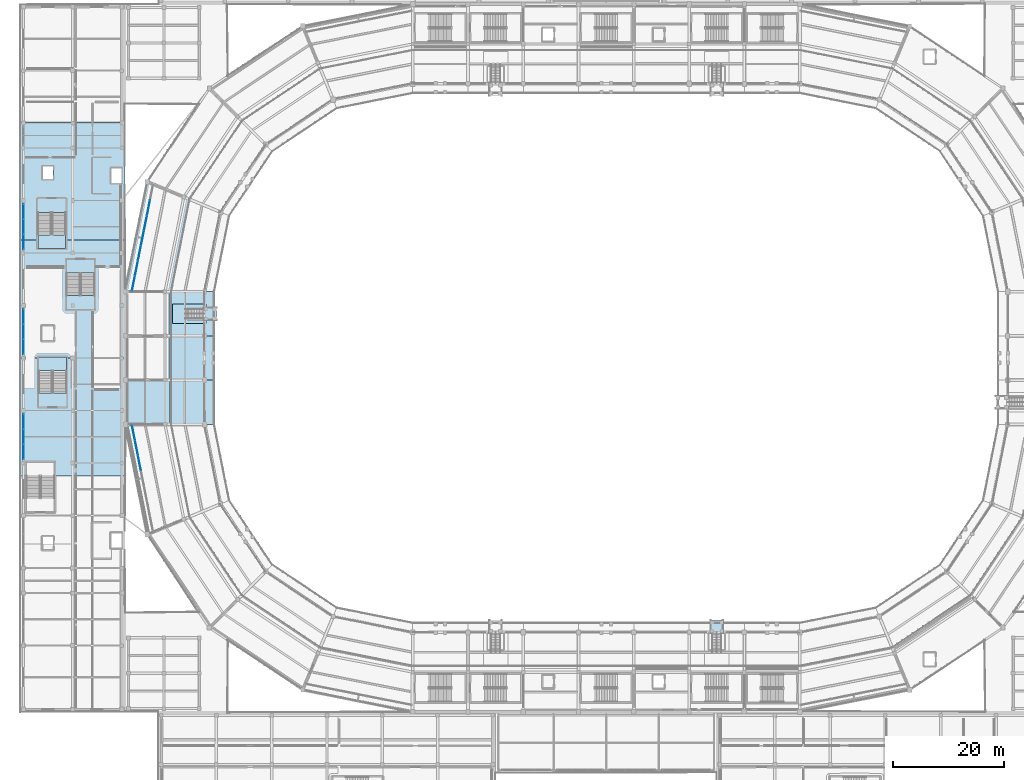
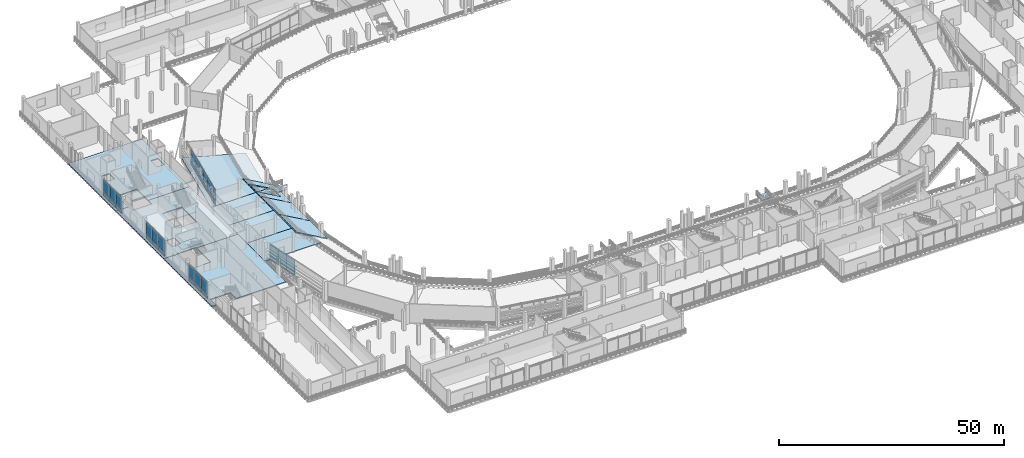
# One storey, part 64 of 127: 36 plates, 15 slabs, 10 elements without a shape of their own.
"""IFC4 building model written with IfcOpenShell, lengths in metres."""

from ifc_helpers import new_model, si_unit, direction, frame, origin, origin_2d, place, context, subcontext, project, spatial, polyline, rectangle, outline, extrude, material, layer, layer_set, type_object, element, aggregate, save


model = new_model("IFC4")

# Units and contexts
model_context = context("Model", 3, precision=1e-05, world=origin(), true_north=direction((0.0, 1.0)))
body_context = subcontext(model_context, "Body", "Model", "MODEL_VIEW")
ifc_project = project(units=[si_unit("LENGTHUNIT", "METRE"), si_unit("AREAUNIT", "SQUARE_METRE"), si_unit("VOLUMEUNIT", "CUBIC_METRE"), si_unit("PLANEANGLEUNIT", "RADIAN"), si_unit("MASSUNIT", "GRAM", prefix="KILO")], contexts=[model_context])

# Site, building, storey
site_placement = place(None, origin())
site = spatial("IfcSite", under=ifc_project, at=site_placement, CompositionType="ELEMENT")
building_placement = place(site_placement, origin())
building = spatial("IfcBuilding", under=site, at=building_placement, Name="Candeia Ridge Stadium", CompositionType="ELEMENT")
storey_placement = place(building_placement, frame((0.0, 0.0, 10.800048828125)))
storey = spatial("IfcBuildingStorey", under=building, at=storey_placement, Name="L02", CompositionType="ELEMENT", Elevation=10.800048828125)

# Slabs
ifc_material_1 = material(Name="Precast concrete C45/55", Category="concrete")
ifc_layer_1 = layer(ifc_material_1, 0.22509765625, Name="Precast concrete C45/55", Category="concrete")
ifc_layer_set_1 = layer_set([ifc_layer_1], Name="Precast concrete C45/55")
slab_type_1 = type_object("IfcSlabType", Name="Club Seating Tier Precast 225", PredefinedType="USERDEFINED", material=ifc_layer_set_1)
slab_1_placement = place(storey_placement, frame((35.199951171875, 95.0, 0.39990234375), z_axis=(0.494386728352, 0.0, 0.869242062276), x_axis=(0.0, -1.0, 0.0)))
element("IfcSlab", 1, at=slab_1_placement, inside=storey, type_object=slab_type_1, Name="Stand Club Tier Stands Bay 12", ObjectType="SEATING TIER", PredefinedType="USERDEFINED", context=body_context, shape_type="SweptSolid", body=[
    extrude(outline(polyline([(0.0, 0.0), (8.0, 0.0), (8.0, -9.203420252184603), (0.0, -9.203420252184603), (0.0, 0.0)]), holes=[polyline([(2.239990234375, -1.8406291399876153), (5.760009765625, -1.8406291399876153), (5.760009765625, -8.835281957197846), (2.239990234375, -8.835281957197846), (2.239990234375, -1.8406291399876153)])]), origin(), (0.0, 0.0, -1.0), 0.22509765625),
])
for number, where, z_axis, x_axis, name in (
    (2, (35.199951171875, 87.0, 0.39990234375), (0.494386728352, 0.0, 0.869242062276), (0.0, -1.0, 0.0), "Stand Club Tier Stands Bay 13"),
    (3, (35.199951171875, 79.0, 0.39990234375), (0.494386728352, 0.0, 0.869242062276), (0.0, -1.0, 0.0), "Stand Club Tier Stands Bay 14"),
):
    element("IfcSlab", number, at=place(storey_placement, frame(where, z_axis=z_axis, x_axis=x_axis)), inside=storey, type_object=slab_type_1, Name=name, ObjectType="SEATING TIER", PredefinedType="USERDEFINED", context=body_context, shape_type="SweptSolid", body=[
        extrude(outline(polyline([(0.0, 0.0), (8.0, 0.0), (8.0, -9.203420252184603), (0.0, -9.203420252184603), (0.0, 0.0)])), origin(), (0.0, 0.0, -1.0), 0.22509765625),
    ])

# Stair, slab
ifc_material_2 = material(Name="Concrete C40/50", Category="concrete")
stair_type_1 = type_object("IfcStairType", Name="Enclosed Core Half-Turn Stair 2450", PredefinedType="HALF_TURN_STAIR", material=ifc_material_2)
stair_1_placement = place(storey_placement, origin())
stair_1 = element("IfcStair", 4, at=stair_1_placement, inside=storey, type_object=stair_type_1, Name="L02 Enclosed exit stair ST06", PredefinedType="HALF_TURN_STAIR")
ifc_layer_2 = layer(ifc_material_2, 0.199951171875, Name="Concrete C40/50", Category="concrete")
ifc_layer_set_2 = layer_set([ifc_layer_2], Name="Concrete C40/50")
slab_type_2 = type_object("IfcSlabType", Name="Core Stair Landing Slab 200", PredefinedType="LANDING", material=ifc_layer_set_2)
slab_2_placement = place(storey_placement, frame((0.0, 0.0, 2.5)))
slab_2 = element("IfcSlab", 5, at=slab_2_placement, type_object=slab_type_2, Name="ST06 landing 1", PredefinedType="LANDING", context=body_context, shape_type="SweptSolid", body=[
    extrude(outline(polyline([(3.199951171875, 105.2900390625), (3.199951171875, 102.800048828125), (8.25, 102.800048828125), (8.25, 105.2900390625), (3.199951171875, 105.2900390625)])), origin(), (0.0, 0.0, 1.0), 0.199951171875),
])
aggregate(stair_1, [slab_2])

stair_2_placement = place(storey_placement, origin())
stair_2 = element("IfcStair", 6, at=stair_2_placement, inside=storey, type_object=stair_type_1, Name="L02 Enclosed exit stair ST07", PredefinedType="HALF_TURN_STAIR")
slab_3_placement = place(storey_placement, frame((0.0, 0.0, 2.5)))
slab_3 = element("IfcSlab", 7, at=slab_3_placement, type_object=slab_type_2, Name="ST07 landing 1", PredefinedType="LANDING", context=body_context, shape_type="SweptSolid", body=[
    extrude(outline(polyline([(8.39990234375, 80.7099609375), (8.39990234375, 83.199951171875), (3.35009765625, 83.199951171875), (3.35009765625, 80.7099609375), (8.39990234375, 80.7099609375)])), origin(), (0.0, 0.0, 1.0), 0.199951171875),
])
aggregate(stair_2, [slab_3])

stair_3_placement = place(storey_placement, origin())
stair_3 = element("IfcStair", 8, at=stair_3_placement, inside=storey, type_object=stair_type_1, Name="L02 Enclosed exit stair ST08", PredefinedType="HALF_TURN_STAIR")
slab_4_placement = place(storey_placement, frame((0.0, 0.0, 2.5)))
slab_4 = element("IfcSlab", 9, at=slab_4_placement, type_object=slab_type_2, Name="ST08 landing 1", PredefinedType="LANDING", context=body_context, shape_type="SweptSolid", body=[
    extrude(outline(polyline([(8.39990234375, 94.2900390625), (8.39990234375, 91.800048828125), (13.449951171875, 91.800048828125), (13.449951171875, 94.2900390625), (8.39990234375, 94.2900390625)])), origin(), (0.0, 0.0, 1.0), 0.199951171875),
])
aggregate(stair_3, [slab_4])

stair_type_2 = type_object("IfcStairType", Name="Spectator Vomitory Straight Stair 2200", PredefinedType="STRAIGHT_RUN_STAIR", material=ifc_material_1)
stair_4_placement = place(storey_placement, origin())
stair_4 = element("IfcStair", 10, at=stair_4_placement, inside=storey, type_object=stair_type_2, Name="Vomitory stair VS21", PredefinedType="STRAIGHT_RUN_STAIR")
slab_5_placement = place(storey_placement, frame((0.0, 0.0, 2.0400390625)))
slab_5 = element("IfcSlab", 11, at=slab_5_placement, type_object=slab_type_2, Name="VS21 landing 1", PredefinedType="LANDING", context=body_context, shape_type="SweptSolid", body=[
    extrude(outline(polyline([(33.279541015625, 92.1201171875), (35.530029296875, 92.1201171875), (35.530029296875, 89.8798828125), (33.279541015625, 89.8798828125), (33.279541015625, 92.1201171875)])), origin(), (0.0, 0.0, 1.0), 0.199951171875),
])
aggregate(stair_4, [slab_5])

stair_5_placement = place(storey_placement, origin())
stair_5 = element("IfcStair", 12, at=stair_5_placement, inside=storey, type_object=stair_type_2, Name="Vomitory stair VS23", PredefinedType="STRAIGHT_RUN_STAIR")
slab_6_placement = place(storey_placement, frame((0.0, 0.0, 2.0400390625)))
slab_6 = element("IfcSlab", 13, at=slab_6_placement, type_object=slab_type_2, Name="VS23 landing 1", PredefinedType="LANDING", context=body_context, shape_type="SweptSolid", body=[
    extrude(outline(polyline([(124.8798828125, 33.279541015625), (124.8798828125, 35.530029296875), (127.1201171875, 35.530029296875), (127.1201171875, 33.279541015625), (124.8798828125, 33.279541015625)])), origin(), (0.0, 0.0, 1.0), 0.199951171875),
])
aggregate(stair_5, [slab_6])

# Curtain wall, plates
ifc_material_3 = material(Name="Aluminium Anodized Warm Bronze", Category="aluminium")
curtain_wall_type_1 = type_object("IfcCurtainWallType", Name="Cardinal Entrance Gate Tall Glazed Curtain Wall", PredefinedType="NOTDEFINED", material=ifc_material_3)
curtain_wall_1_placement = place(storey_placement, origin())
curtain_wall_1 = element("IfcCurtainWall", 14, at=curtain_wall_1_placement, inside=storey, type_object=curtain_wall_type_1, Name="Unitised curtain wall CW-WNG-L02-083", PredefinedType="NOTDEFINED")
ifc_material_4 = material(Name="Laminated Acoustic Glazing", Category="glass")
ifc_layer_3 = layer(ifc_material_4, 0.035888671875, Name="Laminated Acoustic Glazing", Category="glass")
ifc_layer_set_3 = layer_set([ifc_layer_3], Name="Laminated Acoustic Glazing")
plate_type_1 = type_object("IfcPlateType", Name="Gate Tall Laminated Glass Panel GP3", PredefinedType="CURTAIN_PANEL", material=ifc_layer_set_3)
plate_1_placement = place(storey_placement, frame((0.60009765625, 66.023193359375, 1.14013671875), z_axis=(0.0, 0.0, 1.0), x_axis=(0.0, 1.0, 0.0)))
plate_1 = element("IfcPlate", 15, at=plate_1_placement, type_object=plate_type_1, Name="Curtain wall vision glass panel CW-WNG-L02-083-GP0", PredefinedType="CURTAIN_PANEL", context=body_context, shape_type="SweptSolid", body=[
    extrude(rectangle(XDim=2.65673828125, YDim=0.035888671875, at=origin_2d()), origin(), (0.0, 0.0, 1.0), 3.304931640625),
])
plate_2_placement = place(storey_placement, frame((0.60009765625, 68.75, 1.14013671875), z_axis=(0.0, 0.0, 1.0), x_axis=(0.0, 1.0, 0.0)))
plate_2 = element("IfcPlate", 16, at=plate_2_placement, type_object=plate_type_1, Name="Curtain wall vision glass panel CW-WNG-L02-083-GP1", PredefinedType="CURTAIN_PANEL", context=body_context, shape_type="SweptSolid", body=[
    extrude(rectangle(XDim=2.65673828125, YDim=0.035888671875, at=origin_2d()), origin(), (0.0, 0.0, 1.0), 3.304931640625),
])
plate_3_placement = place(storey_placement, frame((0.60009765625, 71.476806640625, 1.14013671875), z_axis=(0.0, 0.0, 1.0), x_axis=(0.0, 1.0, 0.0)))
plate_3 = element("IfcPlate", 17, at=plate_3_placement, type_object=plate_type_1, Name="Curtain wall vision glass panel CW-WNG-L02-083-GP2", PredefinedType="CURTAIN_PANEL", context=body_context, shape_type="SweptSolid", body=[
    extrude(rectangle(XDim=2.65673828125, YDim=0.035888671875, at=origin_2d()), origin(), (0.0, 0.0, 1.0), 3.304931640625),
])

curtain_wall_2_placement = place(storey_placement, origin())
curtain_wall_2 = element("IfcCurtainWall", 18, at=curtain_wall_2_placement, inside=storey, type_object=curtain_wall_type_1, Name="Unitised curtain wall CW-WNG-L02-084", PredefinedType="NOTDEFINED")
plate_4_placement = place(storey_placement, frame((0.60009765625, 85.023193359375, 1.14013671875), z_axis=(0.0, 0.0, 1.0), x_axis=(0.0, 1.0, 0.0)))
plate_4 = element("IfcPlate", 19, at=plate_4_placement, type_object=plate_type_1, Name="Curtain wall vision glass panel CW-WNG-L02-084-GP0", PredefinedType="CURTAIN_PANEL", context=body_context, shape_type="SweptSolid", body=[
    extrude(rectangle(XDim=2.65673828125, YDim=0.035888671875, at=origin_2d()), origin(), (0.0, 0.0, 1.0), 3.304931640625),
])
plate_5_placement = place(storey_placement, frame((0.60009765625, 87.75, 1.14013671875), z_axis=(0.0, 0.0, 1.0), x_axis=(0.0, 1.0, 0.0)))
plate_5 = element("IfcPlate", 20, at=plate_5_placement, type_object=plate_type_1, Name="Curtain wall vision glass panel CW-WNG-L02-084-GP1", PredefinedType="CURTAIN_PANEL", context=body_context, shape_type="SweptSolid", body=[
    extrude(rectangle(XDim=2.65673828125, YDim=0.035888671875, at=origin_2d()), origin(), (0.0, 0.0, 1.0), 3.304931640625),
])
plate_6_placement = place(storey_placement, frame((0.60009765625, 90.476806640625, 1.14013671875), z_axis=(0.0, 0.0, 1.0), x_axis=(0.0, 1.0, 0.0)))
plate_6 = element("IfcPlate", 21, at=plate_6_placement, type_object=plate_type_1, Name="Curtain wall vision glass panel CW-WNG-L02-084-GP2", PredefinedType="CURTAIN_PANEL", context=body_context, shape_type="SweptSolid", body=[
    extrude(rectangle(XDim=2.65673828125, YDim=0.035888671875, at=origin_2d()), origin(), (0.0, 0.0, 1.0), 3.304931640625),
])

curtain_wall_3_placement = place(storey_placement, origin())
curtain_wall_3 = element("IfcCurtainWall", 22, at=curtain_wall_3_placement, inside=storey, type_object=curtain_wall_type_1, Name="Unitised curtain wall CW-WNG-L02-085", PredefinedType="NOTDEFINED")
plate_7_placement = place(storey_placement, frame((0.60009765625, 104.023193359375, 1.14013671875), z_axis=(0.0, 0.0, 1.0), x_axis=(0.0, 1.0, 0.0)))
plate_7 = element("IfcPlate", 23, at=plate_7_placement, type_object=plate_type_1, Name="Curtain wall vision glass panel CW-WNG-L02-085-GP0", PredefinedType="CURTAIN_PANEL", context=body_context, shape_type="SweptSolid", body=[
    extrude(rectangle(XDim=2.65673828125, YDim=0.035888671875, at=origin_2d()), origin(), (0.0, 0.0, 1.0), 3.304931640625),
])
plate_8_placement = place(storey_placement, frame((0.60009765625, 106.75, 1.14013671875), z_axis=(0.0, 0.0, 1.0), x_axis=(0.0, 1.0, 0.0)))
plate_8 = element("IfcPlate", 24, at=plate_8_placement, type_object=plate_type_1, Name="Curtain wall vision glass panel CW-WNG-L02-085-GP1", PredefinedType="CURTAIN_PANEL", context=body_context, shape_type="SweptSolid", body=[
    extrude(rectangle(XDim=2.65673828125, YDim=0.035888671875, at=origin_2d()), origin(), (0.0, 0.0, 1.0), 3.304931640625),
])
plate_9_placement = place(storey_placement, frame((0.60009765625, 109.476806640625, 1.14013671875), z_axis=(0.0, 0.0, 1.0), x_axis=(0.0, 1.0, 0.0)))
plate_9 = element("IfcPlate", 25, at=plate_9_placement, type_object=plate_type_1, Name="Curtain wall vision glass panel CW-WNG-L02-085-GP2", PredefinedType="CURTAIN_PANEL", context=body_context, shape_type="SweptSolid", body=[
    extrude(rectangle(XDim=2.65673828125, YDim=0.035888671875, at=origin_2d()), origin(), (0.0, 0.0, 1.0), 3.304931640625),
])

# Slabs
ifc_layer_4 = layer(ifc_material_2, 0.25, Name="Concrete C40/50", Category="concrete")
ifc_layer_set_4 = layer_set([ifc_layer_4], Name="Concrete C40/50")
slab_type_3 = type_object("IfcSlabType", Name="Hospitality & Museum Slab 250", PredefinedType="FLOOR", material=ifc_layer_set_4)
slab_7_placement = place(storey_placement, frame((0.0, 0.0, -0.25)))
element("IfcSlab", 26, at=slab_7_placement, inside=storey, type_object=slab_type_3, Name="Bowl concourse sector slab L02 bay 11 SLB-L02-0083", PredefinedType="FLOOR", context=body_context, shape_type="SweptSolid", body=[
    extrude(outline(polyline([(33.39990234375, 95.0), (19.0, 95.0), (22.958251953125, 114.8994140625), (36.26220703125, 109.388916015625), (33.39990234375, 95.0)])), origin(), (0.0, 0.0, 1.0), 0.25),
])
slab_8_placement = place(storey_placement, frame((0.0, 0.0, -0.25)))
element("IfcSlab", 27, at=slab_8_placement, inside=storey, type_object=slab_type_3, Name="Bowl concourse sector slab L02 bay 12 SLB-L02-0084", PredefinedType="FLOOR", context=body_context, shape_type="SweptSolid", body=[
    extrude(outline(polyline([(33.39990234375, 87.0), (19.0, 87.0), (19.0, 95.0), (33.39990234375, 95.0), (33.39990234375, 87.0)])), origin(), (0.0, 0.0, 1.0), 0.25),
])
slab_9_placement = place(storey_placement, frame((0.0, 0.0, -0.25)))
element("IfcSlab", 28, at=slab_9_placement, inside=storey, type_object=slab_type_3, Name="Bowl concourse sector slab L02 bay 13 SLB-L02-0085", PredefinedType="FLOOR", context=body_context, shape_type="SweptSolid", body=[
    extrude(outline(polyline([(33.39990234375, 79.0), (19.0, 79.0), (19.0, 87.0), (33.39990234375, 87.0), (33.39990234375, 79.0)])), origin(), (0.0, 0.0, 1.0), 0.25),
])
slab_10_placement = place(storey_placement, frame((0.0, 0.0, -0.25)))
element("IfcSlab", 29, at=slab_10_placement, inside=storey, type_object=slab_type_3, Name="Bowl concourse sector slab L02 bay 14 SLB-L02-0086", PredefinedType="FLOOR", context=body_context, shape_type="SweptSolid", body=[
    extrude(outline(polyline([(33.39990234375, 71.0), (19.0, 71.0), (19.0, 79.0), (33.39990234375, 79.0), (33.39990234375, 71.0)])), origin(), (0.0, 0.0, 1.0), 0.25),
])
slab_11_placement = place(storey_placement, frame((0.0, 0.0, -0.25)))
element("IfcSlab", 30, at=slab_11_placement, inside=storey, type_object=slab_type_3, Name="Wing floor slab west SLB-L02-0247", PredefinedType="FLOOR", context=body_context, shape_type="SweptSolid", body=[
    extrude(outline(polyline([(19.0, 83.0), (19.0, 61.666748046875), (6.199951171875, 61.666748046875), (6.199951171875, 64.199951171875), (1.14990234375, 64.199951171875), (1.14990234375, 61.666748046875), (0.0, 61.666748046875), (0.0, 83.0), (3.35009765625, 83.0), (3.35009765625, 76.650634765625), (8.39990234375, 76.650634765625), (8.39990234375, 83.0), (19.0, 83.0)])), origin(), (0.0, 0.0, 1.0), 0.25),
])
slab_12_placement = place(storey_placement, frame((0.0, 0.0, -0.25)))
element("IfcSlab", 31, at=slab_12_placement, inside=storey, type_object=slab_type_3, Name="Wing floor slab west SLB-L02-0248", PredefinedType="FLOOR", context=body_context, shape_type="SweptSolid", body=[
    extrude(outline(polyline([(19.0, 104.333251953125), (19.0, 83.0), (8.39990234375, 83.0), (8.39990234375, 83.199951171875), (3.35009765625, 83.199951171875), (3.35009765625, 83.0), (0.0, 83.0), (0.0, 104.333251953125), (3.199951171875, 104.333251953125), (3.199951171875, 102.800048828125), (8.25, 102.800048828125), (8.25, 104.333251953125), (19.0, 104.333251953125)]), holes=[polyline([(6.050048828125, 86.14990234375), (6.050048828125, 88.85009765625), (3.949951171875, 88.85009765625), (3.949951171875, 86.14990234375), (6.050048828125, 86.14990234375)]), polyline([(8.39990234375, 98.349365234375), (8.39990234375, 91.800048828125), (13.449951171875, 91.800048828125), (13.449951171875, 98.349365234375), (8.39990234375, 98.349365234375)])]), origin(), (0.0, 0.0, 1.0), 0.25),
])
slab_13_placement = place(storey_placement, frame((0.0, 0.0, -0.25)))
element("IfcSlab", 32, at=slab_13_placement, inside=storey, type_object=slab_type_3, Name="Wing floor slab west SLB-L02-0249", PredefinedType="FLOOR", context=body_context, shape_type="SweptSolid", body=[
    extrude(outline(polyline([(0.0, 104.333251953125), (0.0, 125.666748046875), (19.0, 125.666748046875), (19.0, 104.333251953125), (8.25, 104.333251953125), (8.25, 109.349365234375), (3.199951171875, 109.349365234375), (3.199951171875, 104.333251953125), (0.0, 104.333251953125)]), holes=[polyline([(18.35009765625, 114.64990234375), (18.35009765625, 117.35009765625), (16.449951171875, 117.35009765625), (16.449951171875, 114.64990234375), (18.35009765625, 114.64990234375)]), polyline([(5.949951171875, 115.35009765625), (5.949951171875, 117.64990234375), (4.050048828125, 117.64990234375), (4.050048828125, 115.35009765625), (5.949951171875, 115.35009765625)])]), origin(), (0.0, 0.0, 1.0), 0.25),
])

# Curtain wall, plates
curtain_wall_type_2 = type_object("IfcCurtainWallType", Name="Concourse Recessed Unitised Curtain Wall", PredefinedType="NOTDEFINED", material=ifc_material_3)
curtain_wall_4_placement = place(storey_placement, origin())
curtain_wall_4 = element("IfcCurtainWall", 33, at=curtain_wall_4_placement, inside=storey, type_object=curtain_wall_type_2, Name="Unitised curtain wall CW-BWL-L02-10", PredefinedType="NOTDEFINED")
ifc_material_5 = material(Name="Aluminium Insulated Spandrel", Category="aluminium")
ifc_layer_5 = layer(ifc_material_5, 0.06494140625, Name="Aluminium Insulated Spandrel", Category="aluminium")
ifc_layer_set_5 = layer_set([ifc_layer_5], Name="Aluminium Insulated Spandrel")
plate_type_2 = type_object("IfcPlateType", Name="Insulated Bronze Spandrel Panel SP1", PredefinedType="CURTAIN_PANEL", material=ifc_layer_set_5)
plate_10_placement = place(storey_placement, frame((23.21826171875, 110.173583984375, 0.0400390625), z_axis=(0.0, 0.0, 1.0), x_axis=(-0.195090320544, -0.980785280696, 0.0)))
plate_10 = element("IfcPlate", 34, at=plate_10_placement, type_object=plate_type_2, Name="Curtain wall spandrel panel CW-BWL-L02-10-SP1", PredefinedType="CURTAIN_PANEL", context=body_context, shape_type="SweptSolid", body=[
    extrude(rectangle(XDim=2.710205078125, YDim=0.06494140625, at=origin_2d()), origin(), (0.0, 0.0, 1.0), 0.983642578125),
])
plate_11_placement = place(storey_placement, frame((22.67578125, 107.447021484375, 0.0400390625), z_axis=(0.0, 0.0, 1.0), x_axis=(-0.195090320544, -0.980785280696, 0.0)))
plate_11 = element("IfcPlate", 35, at=plate_11_placement, type_object=plate_type_2, Name="Curtain wall spandrel panel CW-BWL-L02-10-SP2", PredefinedType="CURTAIN_PANEL", context=body_context, shape_type="SweptSolid", body=[
    extrude(rectangle(XDim=2.710205078125, YDim=0.06494140625, at=origin_2d()), origin(), (0.0, 0.0, 1.0), 0.983642578125),
])
plate_12_placement = place(storey_placement, frame((22.13330078125, 104.72021484375, 0.0400390625), z_axis=(0.0, 0.0, 1.0), x_axis=(-0.195090320544, -0.980785280696, 0.0)))
plate_12 = element("IfcPlate", 36, at=plate_12_placement, type_object=plate_type_2, Name="Curtain wall spandrel panel CW-BWL-L02-10-SP3", PredefinedType="CURTAIN_PANEL", context=body_context, shape_type="SweptSolid", body=[
    extrude(rectangle(XDim=2.710205078125, YDim=0.06494140625, at=origin_2d()), origin(), (0.0, 0.0, 1.0), 0.983642578125),
])
plate_13_placement = place(storey_placement, frame((21.591064453125, 101.993408203125, 0.0400390625), z_axis=(0.0, 0.0, 1.0), x_axis=(-0.195090320544, -0.980785280696, 0.0)))
plate_13 = element("IfcPlate", 37, at=plate_13_placement, type_object=plate_type_2, Name="Curtain wall spandrel panel CW-BWL-L02-10-SP4", PredefinedType="CURTAIN_PANEL", context=body_context, shape_type="SweptSolid", body=[
    extrude(rectangle(XDim=2.710205078125, YDim=0.06494140625, at=origin_2d()), origin(), (0.0, 0.0, 1.0), 0.983642578125),
])
plate_14_placement = place(storey_placement, frame((21.048583984375, 99.2666015625, 0.0400390625), z_axis=(0.0, 0.0, 1.0), x_axis=(-0.195090320544, -0.980785280696, 0.0)))
plate_14 = element("IfcPlate", 38, at=plate_14_placement, type_object=plate_type_2, Name="Curtain wall spandrel panel CW-BWL-L02-10-SP5", PredefinedType="CURTAIN_PANEL", context=body_context, shape_type="SweptSolid", body=[
    extrude(rectangle(XDim=2.710205078125, YDim=0.06494140625, at=origin_2d()), origin(), (0.0, 0.0, 1.0), 0.983642578125),
])
plate_15_placement = place(storey_placement, frame((20.50634765625, 96.539794921875, 0.0400390625), z_axis=(0.0, 0.0, 1.0), x_axis=(-0.195090320544, -0.980785280696, 0.0)))
plate_15 = element("IfcPlate", 39, at=plate_15_placement, type_object=plate_type_2, Name="Curtain wall spandrel panel CW-BWL-L02-10-SP6", PredefinedType="CURTAIN_PANEL", context=body_context, shape_type="SweptSolid", body=[
    extrude(rectangle(XDim=2.710205078125, YDim=0.06494140625, at=origin_2d()), origin(), (0.0, 0.0, 1.0), 0.983642578125),
])

curtain_wall_5_placement = place(storey_placement, origin())
curtain_wall_5 = element("IfcCurtainWall", 40, at=curtain_wall_5_placement, inside=storey, type_object=curtain_wall_type_2, Name="Unitised curtain wall CW-BWL-L02-14", PredefinedType="NOTDEFINED")
plate_16_placement = place(storey_placement, frame((20.50634765625, 69.460205078125, 0.0400390625), z_axis=(0.0, 0.0, 1.0), x_axis=(0.195090320544, -0.980785280696, 0.0)))
plate_16 = element("IfcPlate", 41, at=plate_16_placement, type_object=plate_type_2, Name="Curtain wall spandrel panel CW-BWL-L02-14-SP0", PredefinedType="CURTAIN_PANEL", context=body_context, shape_type="SweptSolid", body=[
    extrude(rectangle(XDim=2.710205078125, YDim=0.06494140625, at=origin_2d()), origin(), (0.0, 0.0, 1.0), 0.973876953125),
])
plate_17_placement = place(storey_placement, frame((21.048583984375, 66.7333984375, 0.0400390625), z_axis=(0.0, 0.0, 1.0), x_axis=(0.195090320544, -0.980785280696, 0.0)))
plate_17 = element("IfcPlate", 42, at=plate_17_placement, type_object=plate_type_2, Name="Curtain wall spandrel panel CW-BWL-L02-14-SP1", PredefinedType="CURTAIN_PANEL", context=body_context, shape_type="SweptSolid", body=[
    extrude(rectangle(XDim=2.710205078125, YDim=0.06494140625, at=origin_2d()), origin(), (0.0, 0.0, 1.0), 0.973876953125),
])
plate_18_placement = place(storey_placement, frame((21.591064453125, 64.006591796875, 0.0400390625), z_axis=(0.0, 0.0, 1.0), x_axis=(0.195090320544, -0.980785280696, 0.0)))
plate_18 = element("IfcPlate", 43, at=plate_18_placement, type_object=plate_type_2, Name="Curtain wall spandrel panel CW-BWL-L02-14-SP2", PredefinedType="CURTAIN_PANEL", context=body_context, shape_type="SweptSolid", body=[
    extrude(rectangle(XDim=2.710205078125, YDim=0.06494140625, at=origin_2d()), origin(), (0.0, 0.0, 1.0), 0.973876953125),
])

# Plate
ifc_layer_6 = layer(ifc_material_5, 0.06494140625, Name="Aluminium Insulated Spandrel", Category="aluminium")
ifc_layer_set_6 = layer_set([ifc_layer_6], Name="Aluminium Insulated Spandrel")
plate_type_3 = type_object("IfcPlateType", Name="Insulated Cedar-Tone Spandrel Panel SP3", PredefinedType="CURTAIN_PANEL", material=ifc_layer_set_6)
plate_19_placement = place(storey_placement, frame((0.60009765625, 66.023193359375, 0.0400390625), z_axis=(0.0, 0.0, 1.0), x_axis=(0.0, 1.0, 0.0)))
plate_19 = element("IfcPlate", 44, at=plate_19_placement, type_object=plate_type_3, Name="Curtain wall spandrel panel CW-WNG-L02-083-SP0", PredefinedType="CURTAIN_PANEL", context=body_context, shape_type="SweptSolid", body=[
    extrude(rectangle(XDim=2.65673828125, YDim=0.06494140625, at=origin_2d()), origin(), (0.0, 0.0, 1.0), 1.02001953125),
])

plate_20_placement = place(storey_placement, frame((0.60009765625, 68.75, 0.0400390625), z_axis=(0.0, 0.0, 1.0), x_axis=(0.0, 1.0, 0.0)))
plate_20 = element("IfcPlate", 45, at=plate_20_placement, type_object=plate_type_3, Name="Curtain wall spandrel panel CW-WNG-L02-083-SP1", PredefinedType="CURTAIN_PANEL", context=body_context, shape_type="SweptSolid", body=[
    extrude(rectangle(XDim=2.65673828125, YDim=0.06494140625, at=origin_2d()), origin(), (0.0, 0.0, 1.0), 1.02001953125),
])

plate_21_placement = place(storey_placement, frame((0.60009765625, 71.476806640625, 0.0400390625), z_axis=(0.0, 0.0, 1.0), x_axis=(0.0, 1.0, 0.0)))
plate_21 = element("IfcPlate", 46, at=plate_21_placement, type_object=plate_type_3, Name="Curtain wall spandrel panel CW-WNG-L02-083-SP2", PredefinedType="CURTAIN_PANEL", context=body_context, shape_type="SweptSolid", body=[
    extrude(rectangle(XDim=2.65673828125, YDim=0.06494140625, at=origin_2d()), origin(), (0.0, 0.0, 1.0), 1.02001953125),
])

aggregate(curtain_wall_1, [plate_19, plate_1, plate_20, plate_2, plate_21, plate_3])

plate_22_placement = place(storey_placement, frame((0.60009765625, 85.023193359375, 0.0400390625), z_axis=(0.0, 0.0, 1.0), x_axis=(0.0, 1.0, 0.0)))
plate_22 = element("IfcPlate", 47, at=plate_22_placement, type_object=plate_type_3, Name="Curtain wall spandrel panel CW-WNG-L02-084-SP0", PredefinedType="CURTAIN_PANEL", context=body_context, shape_type="SweptSolid", body=[
    extrude(rectangle(XDim=2.65673828125, YDim=0.06494140625, at=origin_2d()), origin(), (0.0, 0.0, 1.0), 1.02001953125),
])

plate_23_placement = place(storey_placement, frame((0.60009765625, 87.75, 0.0400390625), z_axis=(0.0, 0.0, 1.0), x_axis=(0.0, 1.0, 0.0)))
plate_23 = element("IfcPlate", 48, at=plate_23_placement, type_object=plate_type_3, Name="Curtain wall spandrel panel CW-WNG-L02-084-SP1", PredefinedType="CURTAIN_PANEL", context=body_context, shape_type="SweptSolid", body=[
    extrude(rectangle(XDim=2.65673828125, YDim=0.06494140625, at=origin_2d()), origin(), (0.0, 0.0, 1.0), 1.02001953125),
])

plate_24_placement = place(storey_placement, frame((0.60009765625, 90.476806640625, 0.0400390625), z_axis=(0.0, 0.0, 1.0), x_axis=(0.0, 1.0, 0.0)))
plate_24 = element("IfcPlate", 49, at=plate_24_placement, type_object=plate_type_3, Name="Curtain wall spandrel panel CW-WNG-L02-084-SP2", PredefinedType="CURTAIN_PANEL", context=body_context, shape_type="SweptSolid", body=[
    extrude(rectangle(XDim=2.65673828125, YDim=0.06494140625, at=origin_2d()), origin(), (0.0, 0.0, 1.0), 1.02001953125),
])

aggregate(curtain_wall_2, [plate_22, plate_4, plate_23, plate_5, plate_24, plate_6])

plate_25_placement = place(storey_placement, frame((0.60009765625, 104.023193359375, 0.0400390625), z_axis=(0.0, 0.0, 1.0), x_axis=(0.0, 1.0, 0.0)))
plate_25 = element("IfcPlate", 50, at=plate_25_placement, type_object=plate_type_3, Name="Curtain wall spandrel panel CW-WNG-L02-085-SP0", PredefinedType="CURTAIN_PANEL", context=body_context, shape_type="SweptSolid", body=[
    extrude(rectangle(XDim=2.65673828125, YDim=0.06494140625, at=origin_2d()), origin(), (0.0, 0.0, 1.0), 1.02001953125),
])

plate_26_placement = place(storey_placement, frame((0.60009765625, 106.75, 0.0400390625), z_axis=(0.0, 0.0, 1.0), x_axis=(0.0, 1.0, 0.0)))
plate_26 = element("IfcPlate", 51, at=plate_26_placement, type_object=plate_type_3, Name="Curtain wall spandrel panel CW-WNG-L02-085-SP1", PredefinedType="CURTAIN_PANEL", context=body_context, shape_type="SweptSolid", body=[
    extrude(rectangle(XDim=2.65673828125, YDim=0.06494140625, at=origin_2d()), origin(), (0.0, 0.0, 1.0), 1.02001953125),
])

plate_27_placement = place(storey_placement, frame((0.60009765625, 109.476806640625, 0.0400390625), z_axis=(0.0, 0.0, 1.0), x_axis=(0.0, 1.0, 0.0)))
plate_27 = element("IfcPlate", 52, at=plate_27_placement, type_object=plate_type_3, Name="Curtain wall spandrel panel CW-WNG-L02-085-SP2", PredefinedType="CURTAIN_PANEL", context=body_context, shape_type="SweptSolid", body=[
    extrude(rectangle(XDim=2.65673828125, YDim=0.06494140625, at=origin_2d()), origin(), (0.0, 0.0, 1.0), 1.02001953125),
])

aggregate(curtain_wall_3, [plate_25, plate_7, plate_26, plate_8, plate_27, plate_9])

ifc_material_6 = material(Name="Tempered Low-E Double Glazing", Category="glass")
ifc_layer_7 = layer(ifc_material_6, 0.035888671875, Name="Tempered Low-E Double Glazing", Category="glass")
ifc_layer_set_7 = layer_set([ifc_layer_7], Name="Tempered Low-E Double Glazing")
plate_type_4 = type_object("IfcPlateType", Name="Solar Control Vision Glass Panel GP1", PredefinedType="CURTAIN_PANEL", material=ifc_layer_set_7)
plate_28_placement = place(storey_placement, frame((23.21826171875, 110.173583984375, 1.103759765625), z_axis=(0.0, 0.0, 1.0), x_axis=(-0.195090320544, -0.980785280696, 0.0)))
plate_28 = element("IfcPlate", 53, at=plate_28_placement, type_object=plate_type_4, Name="Curtain wall vision glass panel CW-BWL-L02-10-GP1", PredefinedType="CURTAIN_PANEL", context=body_context, shape_type="SweptSolid", body=[
    extrude(rectangle(XDim=2.710205078125, YDim=0.035888671875, at=origin_2d()), origin(), (0.0, 0.0, 1.0), 3.111328125),
])

plate_29_placement = place(storey_placement, frame((22.67578125, 107.447021484375, 1.103759765625), z_axis=(0.0, 0.0, 1.0), x_axis=(-0.195090320544, -0.980785280696, 0.0)))
plate_29 = element("IfcPlate", 54, at=plate_29_placement, type_object=plate_type_4, Name="Curtain wall vision glass panel CW-BWL-L02-10-GP2", PredefinedType="CURTAIN_PANEL", context=body_context, shape_type="SweptSolid", body=[
    extrude(rectangle(XDim=2.710205078125, YDim=0.035888671875, at=origin_2d()), origin(), (0.0, 0.0, 1.0), 3.111328125),
])

plate_30_placement = place(storey_placement, frame((22.13330078125, 104.72021484375, 1.103759765625), z_axis=(0.0, 0.0, 1.0), x_axis=(-0.195090320544, -0.980785280696, 0.0)))
plate_30 = element("IfcPlate", 55, at=plate_30_placement, type_object=plate_type_4, Name="Curtain wall vision glass panel CW-BWL-L02-10-GP3", PredefinedType="CURTAIN_PANEL", context=body_context, shape_type="SweptSolid", body=[
    extrude(rectangle(XDim=2.710205078125, YDim=0.035888671875, at=origin_2d()), origin(), (0.0, 0.0, 1.0), 3.111328125),
])

plate_31_placement = place(storey_placement, frame((21.591064453125, 101.993408203125, 1.103759765625), z_axis=(0.0, 0.0, 1.0), x_axis=(-0.195090320544, -0.980785280696, 0.0)))
plate_31 = element("IfcPlate", 56, at=plate_31_placement, type_object=plate_type_4, Name="Curtain wall vision glass panel CW-BWL-L02-10-GP4", PredefinedType="CURTAIN_PANEL", context=body_context, shape_type="SweptSolid", body=[
    extrude(rectangle(XDim=2.710205078125, YDim=0.035888671875, at=origin_2d()), origin(), (0.0, 0.0, 1.0), 3.111328125),
])

plate_32_placement = place(storey_placement, frame((21.048583984375, 99.2666015625, 1.103759765625), z_axis=(0.0, 0.0, 1.0), x_axis=(-0.195090320544, -0.980785280696, 0.0)))
plate_32 = element("IfcPlate", 57, at=plate_32_placement, type_object=plate_type_4, Name="Curtain wall vision glass panel CW-BWL-L02-10-GP5", PredefinedType="CURTAIN_PANEL", context=body_context, shape_type="SweptSolid", body=[
    extrude(rectangle(XDim=2.710205078125, YDim=0.035888671875, at=origin_2d()), origin(), (0.0, 0.0, 1.0), 3.111328125),
])

plate_33_placement = place(storey_placement, frame((20.50634765625, 96.539794921875, 1.103759765625), z_axis=(0.0, 0.0, 1.0), x_axis=(-0.195090320544, -0.980785280696, 0.0)))
plate_33 = element("IfcPlate", 58, at=plate_33_placement, type_object=plate_type_4, Name="Curtain wall vision glass panel CW-BWL-L02-10-GP6", PredefinedType="CURTAIN_PANEL", context=body_context, shape_type="SweptSolid", body=[
    extrude(rectangle(XDim=2.710205078125, YDim=0.035888671875, at=origin_2d()), origin(), (0.0, 0.0, 1.0), 3.111328125),
])

aggregate(curtain_wall_4, [plate_10, plate_28, plate_11, plate_29, plate_12, plate_30, plate_13, plate_31, plate_14, plate_32, plate_15, plate_33])

ifc_layer_8 = layer(ifc_material_6, 0.035888671875, Name="Tempered Low-E Double Glazing", Category="glass")
ifc_layer_set_8 = layer_set([ifc_layer_8], Name="Tempered Low-E Double Glazing")
plate_type_5 = type_object("IfcPlateType", Name="Solar Control Vision Glass Panel GP7", PredefinedType="CURTAIN_PANEL", material=ifc_layer_set_8)
plate_34_placement = place(storey_placement, frame((20.50634765625, 69.460205078125, 1.09375), z_axis=(0.0, 0.0, 1.0), x_axis=(0.195090320544, -0.980785280696, 0.0)))
plate_34 = element("IfcPlate", 59, at=plate_34_placement, type_object=plate_type_5, Name="Curtain wall vision glass panel CW-BWL-L02-14-GP0", PredefinedType="CURTAIN_PANEL", context=body_context, shape_type="SweptSolid", body=[
    extrude(rectangle(XDim=2.710205078125, YDim=0.035888671875, at=origin_2d()), origin(), (0.0, 0.0, 1.0), 3.081298828125),
])

plate_35_placement = place(storey_placement, frame((21.048583984375, 66.7333984375, 1.09375), z_axis=(0.0, 0.0, 1.0), x_axis=(0.195090320544, -0.980785280696, 0.0)))
plate_35 = element("IfcPlate", 60, at=plate_35_placement, type_object=plate_type_5, Name="Curtain wall vision glass panel CW-BWL-L02-14-GP1", PredefinedType="CURTAIN_PANEL", context=body_context, shape_type="SweptSolid", body=[
    extrude(rectangle(XDim=2.710205078125, YDim=0.035888671875, at=origin_2d()), origin(), (0.0, 0.0, 1.0), 3.081298828125),
])

plate_36_placement = place(storey_placement, frame((21.591064453125, 64.006591796875, 1.09375), z_axis=(0.0, 0.0, 1.0), x_axis=(0.195090320544, -0.980785280696, 0.0)))
plate_36 = element("IfcPlate", 61, at=plate_36_placement, type_object=plate_type_5, Name="Curtain wall vision glass panel CW-BWL-L02-14-GP2", PredefinedType="CURTAIN_PANEL", context=body_context, shape_type="SweptSolid", body=[
    extrude(rectangle(XDim=2.710205078125, YDim=0.035888671875, at=origin_2d()), origin(), (0.0, 0.0, 1.0), 3.081298828125),
])

aggregate(curtain_wall_5, [plate_16, plate_34, plate_17, plate_35, plate_18, plate_36])

save(model, "model.ifc")
